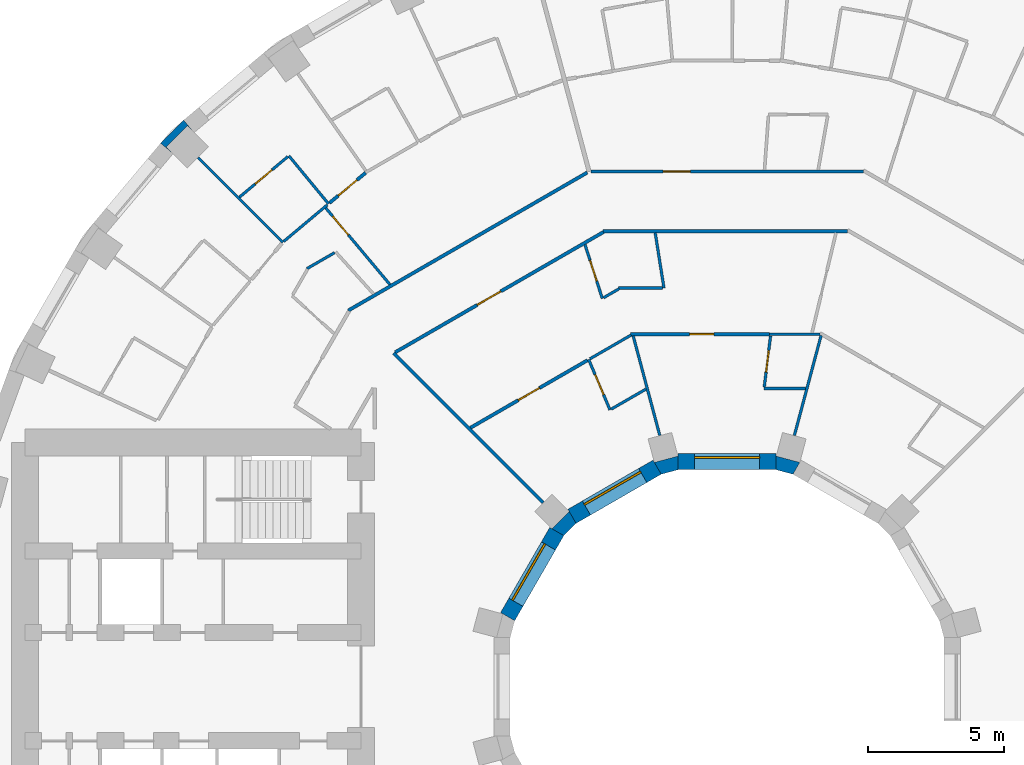
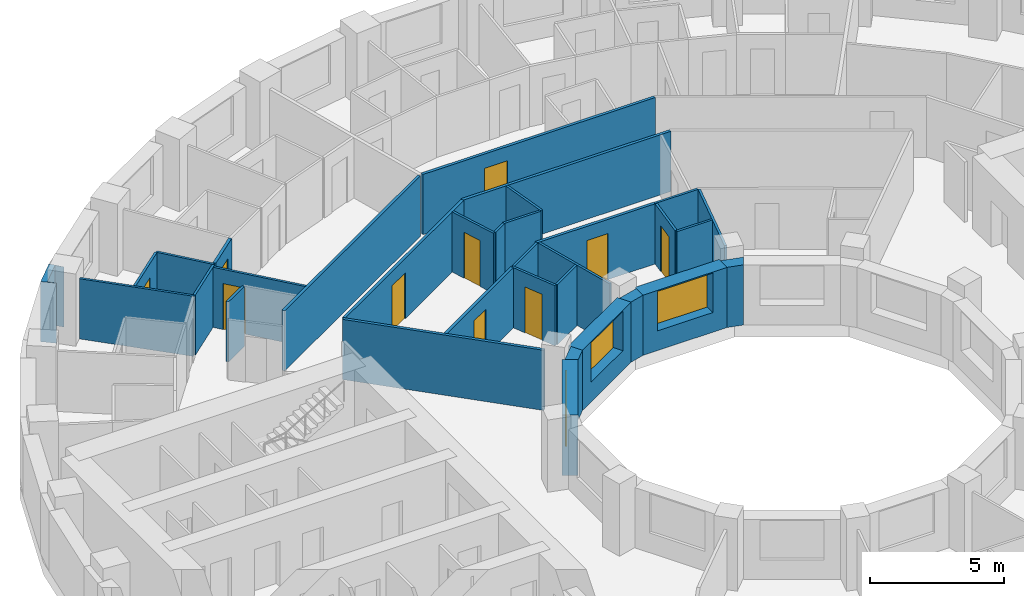
# One storey, part 9 of 14: 33 walls, 10 doors, 3 windows, 13 openings.
"""IFC4 building model written with IfcOpenShell, lengths in metres."""

from ifc_helpers import new_model, si_unit, direction, frame, frame_2d, origin, place, context, subcontext, project, spatial, polyline, rectangle, outline, extrude, material, layer, layer_set, type_object, element, fill, save


model = new_model("IFC4")

# Units and contexts
model_context = context("Model", 3, precision=1e-05, world=origin(), true_north=direction((0.0, 1.0)))
body_context = subcontext(model_context, "Body", "Model", "MODEL_VIEW")
ifc_project = project(units=[si_unit("LENGTHUNIT", "METRE"), si_unit("AREAUNIT", "SQUARE_METRE"), si_unit("VOLUMEUNIT", "CUBIC_METRE"), si_unit("PLANEANGLEUNIT", "RADIAN"), si_unit("MASSUNIT", "GRAM", prefix="KILO")], contexts=[model_context])

# Site, building, storey
site_placement = place(None, origin())
site = spatial("IfcSite", under=ifc_project, at=site_placement, CompositionType="ELEMENT")
building_placement = place(site_placement, origin())
building = spatial("IfcBuilding", under=site, at=building_placement, Name="Saqina Gate Tower", CompositionType="ELEMENT")
storey_placement = place(building_placement, frame((0.0, 0.0, 52.699951171875)))
storey = spatial("IfcBuildingStorey", under=building, at=storey_placement, Name="L14", CompositionType="ELEMENT", Elevation=52.699951171875)

# Wall
ifc_material_1 = material(Name="Brick masonry (red)", Category="masonry")
wall_type_1 = type_object("IfcWallType", Name="BRICK PIER COPING RED", PredefinedType="SOLIDWALL", material=ifc_material_1)
wall_1_placement = place(storey_placement, origin())
element("IfcWall", 1, at=wall_1_placement, inside=storey, type_object=wall_type_1, Name="Pier cap L14 column 14", PredefinedType="SOLIDWALL", context=body_context, shape_type="SweptSolid", body=[
    extrude(outline(polyline([(-20.894775390625, 20.04296875), (-20.43505859375, 19.6572265625), (-20.682861328125, 19.905029296875), (-19.905029296875, 20.682861328125), (-19.6572265625, 20.43505859375), (-20.04296875, 20.894775390625), (-20.894775390625, 20.04296875)])), origin(), (0.0, 0.0, 1.0), 2.75),
])

# Wall, opening, window
ifc_material_2 = material(Name="Glazed ceramic tile", Category="ceramic")
ifc_layer_1 = layer(ifc_material_2, 0.60009765625)
ifc_layer_set_1 = layer_set([ifc_layer_1], Name="IW-TILE")
wall_type_2 = type_object("IfcWallType", Name="IW-TILE", PredefinedType="SOLIDWALL", material=ifc_layer_set_1)
wall_2_placement = place(storey_placement, frame((1.8125, 8.300048828125, 0.0), z_axis=(0.0, 0.0, 1.0), x_axis=(-1.0, 0.0, 0.0)))
wall_2 = element("IfcWall", 2, at=wall_2_placement, inside=storey, type_object=wall_type_2, Name="Well wall L14 facet 3", PredefinedType="SOLIDWALL", context=body_context, shape_type="SweptSolid", body=[
    extrude(rectangle(XDim=3.625, YDim=0.60009765625, at=frame_2d((1.8125, 0.0))), origin(), (0.0, 0.0, 1.0), 2.75),
])
opening_1_placement = place(wall_2_placement, frame((0.612548828125, 0.0, 0.89990234375)))
opening_1 = element("IfcOpeningElement", 3, at=opening_1_placement, cuts=wall_2, Name="Opening G03-W28", PredefinedType="OPENING", context=body_context, shape_type="SweptSolid", body=[
    extrude(rectangle(XDim=2.39990234375, YDim=1.800048828125, at=frame_2d((1.199951171875, 0.89990234375))), frame((0.0, 0.31201171875, 0.0), z_axis=(0.0, -1.0, 0.0), x_axis=(1.0, 0.0, 0.0)), (0.0, 0.0, 1.0), 0.6240234375),
])
ifc_material_3 = material(Name="Aluminium glazing", Category="aluminium")
window_type = type_object("IfcWindowType", Name="WN-W", PartitioningType="SINGLE_PANEL", PredefinedType="WINDOW", material=ifc_material_3)
window_1_placement = place(opening_1_placement, origin())
window_1 = element("IfcWindow", 4, at=window_1_placement, inside=storey, type_object=window_type, Name="Well window L14 facet 3", OverallHeight=1.800048828125, OverallWidth=2.39990234375, PartitioningType="SINGLE_PANEL", PredefinedType="WINDOW", context=body_context, shape_type="SweptSolid", body=[
    extrude(rectangle(XDim=2.39990234375, YDim=1.800048828125, at=frame_2d((1.199951171875, 0.89990234375))), frame((0.0, -0.119873046875, 0.0), z_axis=(0.0, -1.0, 0.0), x_axis=(1.0, 0.0, 0.0)), (0.0, 0.0, 1.0), 0.06005859375),
])
fill(opening_1, window_1)

wall_3_placement = place(storey_placement, frame((-2.580322265625, 8.09423828125, 0.0), z_axis=(0.0, 0.0, 1.0), x_axis=(-0.866029693906, -0.499992569217, 0.0)))
wall_3 = element("IfcWall", 5, at=wall_3_placement, inside=storey, type_object=wall_type_2, Name="Well wall L14 facet 4", PredefinedType="SOLIDWALL", context=body_context, shape_type="SweptSolid", body=[
    extrude(rectangle(XDim=3.625, YDim=0.60009765625, at=frame_2d((1.8125, 0.0))), origin(), (0.0, 0.0, 1.0), 2.75),
])
opening_2_placement = place(wall_3_placement, frame((0.612548828125, 0.0, 0.89990234375)))
opening_2 = element("IfcOpeningElement", 6, at=opening_2_placement, cuts=wall_3, Name="Opening G03-W29", PredefinedType="OPENING", context=body_context, shape_type="SweptSolid", body=[
    extrude(rectangle(XDim=2.39990234375, YDim=1.800048828125, at=frame_2d((1.199951171875, 0.89990234375))), frame((0.0, 0.31201171875, 0.0), z_axis=(0.0, -1.0, 0.0), x_axis=(1.0, 0.0, 0.0)), (0.0, 0.0, 1.0), 0.6240234375),
])
window_2_placement = place(opening_2_placement, origin())
window_2 = element("IfcWindow", 7, at=window_2_placement, inside=storey, type_object=window_type, Name="Well window L14 facet 4", OverallHeight=1.800048828125, OverallWidth=2.39990234375, PartitioningType="SINGLE_PANEL", PredefinedType="WINDOW", context=body_context, shape_type="SweptSolid", body=[
    extrude(rectangle(XDim=2.39990234375, YDim=1.800048828125, at=frame_2d((1.199951171875, 0.89990234375))), frame((0.0, -0.119873046875, 0.0), z_axis=(0.0, -1.0, 0.0), x_axis=(1.0, 0.0, 0.0)), (0.0, 0.0, 1.0), 0.06005859375),
])
fill(opening_2, window_2)

wall_4_placement = place(storey_placement, frame((-6.28173828125, 5.7197265625, 0.0), z_axis=(0.0, 0.0, 1.0), x_axis=(-0.499992569217, -0.866029693906, 0.0)))
wall_4 = element("IfcWall", 8, at=wall_4_placement, inside=storey, type_object=wall_type_2, Name="Well wall L14 facet 5", PredefinedType="SOLIDWALL", context=body_context, shape_type="SweptSolid", body=[
    extrude(rectangle(XDim=3.625, YDim=0.60009765625, at=frame_2d((1.8125, 0.0))), origin(), (0.0, 0.0, 1.0), 2.75),
])
opening_3_placement = place(wall_4_placement, frame((0.612548828125, 0.0, 0.89990234375)))
opening_3 = element("IfcOpeningElement", 9, at=opening_3_placement, cuts=wall_4, Name="Opening G03-W30", PredefinedType="OPENING", context=body_context, shape_type="SweptSolid", body=[
    extrude(rectangle(XDim=2.39990234375, YDim=1.800048828125, at=frame_2d((1.199951171875, 0.89990234375))), frame((0.0, 0.31201171875, 0.0), z_axis=(0.0, -1.0, 0.0), x_axis=(1.0, 0.0, 0.0)), (0.0, 0.0, 1.0), 0.6240234375),
])
window_3_placement = place(opening_3_placement, origin())
window_3 = element("IfcWindow", 10, at=window_3_placement, inside=storey, type_object=window_type, Name="Well window L14 facet 5", OverallHeight=1.800048828125, OverallWidth=2.39990234375, PartitioningType="SINGLE_PANEL", PredefinedType="WINDOW", context=body_context, shape_type="SweptSolid", body=[
    extrude(rectangle(XDim=2.39990234375, YDim=1.800048828125, at=frame_2d((1.199951171875, 0.89990234375))), frame((0.0, -0.119873046875, 0.0), z_axis=(0.0, -1.0, 0.0), x_axis=(1.0, 0.0, 0.0)), (0.0, 0.0, 1.0), 0.06005859375),
])
fill(opening_3, window_3)

# Walls
ifc_material_4 = material(Name="Gypsum board on steel studs, 100 mm", Category="steel")
ifc_layer_2 = layer(ifc_material_4, 0.10009765625)
ifc_layer_set_2 = layer_set([ifc_layer_2], Name="PARTITION 100")
wall_type_3 = type_object("IfcWallType", Name="PARTITION 100", PredefinedType="PARTITIONING", material=ifc_layer_set_2)
wall_5_placement = place(storey_placement, frame((-2.651123046875, 16.73828125, 0.0), z_axis=(0.0, 0.0, 1.0), x_axis=(0.156624679591, -0.987658194794, 0.0)))
element("IfcWall", 11, at=wall_5_placement, inside=storey, type_object=wall_type_3, Name="PARTITION PW3-04", PredefinedType="PARTITIONING", context=body_context, shape_type="SweptSolid", body=[
    extrude(rectangle(XDim=2.063720703125, YDim=0.10009765625, at=frame_2d((1.03173828125, 0.0))), origin(), (0.0, 0.0, 1.0), 2.75),
])
wall_6_placement = place(storey_placement, frame((-3.46435546875, 12.940185546875, 0.0), z_axis=(0.0, 0.0, 1.0), x_axis=(0.258149993738, -0.966104849762, 0.0)))
element("IfcWall", 12, at=wall_6_placement, inside=storey, type_object=wall_type_3, Name="PARTITION PW3-07", PredefinedType="PARTITIONING", context=body_context, shape_type="SweptSolid", body=[
    extrude(rectangle(XDim=3.8037109375, YDim=0.10009765625, at=frame_2d((1.90185546875, 0.0))), origin(), (0.0, 0.0, 1.0), 2.75),
])

# Wall, opening, door
wall_7_placement = place(storey_placement, frame((-5.240966796875, 16.302490234375, 0.0), z_axis=(0.0, 0.0, 1.0), x_axis=(0.306308477414, -0.951932306766, 0.0)))
wall_7 = element("IfcWall", 13, at=wall_7_placement, inside=storey, type_object=wall_type_3, Name="PARTITION PW3-10", PredefinedType="PARTITIONING", context=body_context, shape_type="SweptSolid", body=[
    extrude(rectangle(XDim=2.0859375, YDim=0.10009765625, at=frame_2d((1.04296875, 0.0))), origin(), (0.0, 0.0, 1.0), 2.75),
])
opening_4_placement = place(wall_7_placement, frame((0.611572265625, 0.0, 0.0)))
opening_4 = element("IfcOpeningElement", 14, at=opening_4_placement, cuts=wall_7, Name="Opening G03-D23", PredefinedType="OPENING", context=body_context, shape_type="SweptSolid", body=[
    extrude(rectangle(XDim=0.800048828125, YDim=2.10009765625, at=frame_2d((0.39990234375, 1.050048828125))), frame((0.0, 0.06201171875, 0.0), z_axis=(0.0, -1.0, 0.0), x_axis=(1.0, 0.0, 0.0)), (0.0, 0.0, 1.0), 0.1240234375),
])
ifc_material_5 = material(Name="Timber door leaf, 800 mm", Category="wood")
door_type_1 = type_object("IfcDoorType", Name="DOOR 800 TIMBER", OperationType="SINGLE_SWING_LEFT", PredefinedType="DOOR", material=ifc_material_5)
door_1_placement = place(opening_4_placement, frame((0.800048828125, 0.0, 0.0), z_axis=(0.0, 0.0, 1.0), x_axis=(-1.0, 0.0, 0.0)))
door_1 = element("IfcDoor", 15, at=door_1_placement, inside=storey, type_object=door_type_1, Name="DOOR G03-D23", OperationType="SINGLE_SWING_RIGHT", OverallHeight=2.10009765625, OverallWidth=0.800048828125, PredefinedType="DOOR", context=body_context, shape_type="SweptSolid", body=[
    extrude(rectangle(XDim=0.800048828125, YDim=2.10009765625, at=frame_2d((0.39990234375, 1.050048828125))), frame((0.0, 0.02490234375, 0.0), z_axis=(0.0, -1.0, 0.0), x_axis=(1.0, 0.0, 0.0)), (0.0, 0.0, 1.0), 0.050048828125),
])
fill(opening_4, door_1)

wall_8_placement = place(storey_placement, frame((-5.10400390625, 12.06396484375, 0.0), z_axis=(0.0, 0.0, 1.0), x_axis=(0.389513511619, -0.921020751268, 0.0)))
wall_8 = element("IfcWall", 16, at=wall_8_placement, inside=storey, type_object=wall_type_3, Name="PARTITION PW3-13", PredefinedType="PARTITIONING", context=body_context, shape_type="SweptSolid", body=[
    extrude(rectangle(XDim=2.01513671875, YDim=0.10009765625, at=frame_2d((1.007568359375, 0.0))), origin(), (0.0, 0.0, 1.0), 2.75),
])
opening_5_placement = place(wall_8_placement, frame((0.607666015625, 0.0, 0.0)))
opening_5 = element("IfcOpeningElement", 17, at=opening_5_placement, cuts=wall_8, Name="Opening G03-D25", PredefinedType="OPENING", context=body_context, shape_type="SweptSolid", body=[
    extrude(rectangle(XDim=0.800048828125, YDim=2.10009765625, at=frame_2d((0.39990234375, 1.050048828125))), frame((0.0, 0.06201171875, 0.0), z_axis=(0.0, -1.0, 0.0), x_axis=(1.0, 0.0, 0.0)), (0.0, 0.0, 1.0), 0.1240234375),
])
door_2_placement = place(opening_5_placement, frame((0.800048828125, 0.0, 0.0), z_axis=(0.0, 0.0, 1.0), x_axis=(-1.0, 0.0, 0.0)))
door_2 = element("IfcDoor", 18, at=door_2_placement, inside=storey, type_object=door_type_1, Name="DOOR G03-D25", OperationType="SINGLE_SWING_RIGHT", OverallHeight=2.10009765625, OverallWidth=0.800048828125, PredefinedType="DOOR", context=body_context, shape_type="SweptSolid", body=[
    extrude(rectangle(XDim=0.800048828125, YDim=2.10009765625, at=frame_2d((0.39990234375, 1.050048828125))), frame((0.0, 0.02490234375, 0.0), z_axis=(0.0, -1.0, 0.0), x_axis=(1.0, 0.0, 0.0)), (0.0, 0.0, 1.0), 0.050048828125),
])
fill(opening_5, door_2)

# Wall
wall_9_placement = place(storey_placement, frame((-16.1640625, 19.580078125, 0.0), z_axis=(0.0, 0.0, 1.0), x_axis=(0.636700344293, -0.771111322428, 0.0)))
element("IfcWall", 19, at=wall_9_placement, inside=storey, type_object=wall_type_3, Name="PARTITION PW3-26", PredefinedType="PARTITIONING", context=body_context, shape_type="SweptSolid", body=[
    extrude(rectangle(XDim=2.299560546875, YDim=0.10009765625, at=frame_2d((1.14990234375, 0.0))), origin(), (0.0, 0.0, 1.0), 2.75),
])

# Wall, opening, door
wall_10_placement = place(storey_placement, frame((-14.802978515625, 17.65478515625, 0.0), z_axis=(0.0, 0.0, 1.0), x_axis=(0.642514396039, -0.766273613589, 0.0)))
wall_10 = element("IfcWall", 20, at=wall_10_placement, inside=storey, type_object=wall_type_3, Name="PARTITION PW3-30", PredefinedType="PARTITIONING", context=body_context, shape_type="SweptSolid", body=[
    extrude(rectangle(XDim=3.68505859375, YDim=0.10009765625, at=frame_2d((1.842529296875, 0.0))), origin(), (0.0, 0.0, 1.0), 2.75),
])
opening_6_placement = place(wall_10_placement, frame((0.398681640625, 0.0, 0.0)))
opening_6 = element("IfcOpeningElement", 21, at=opening_6_placement, cuts=wall_10, Name="Opening G03-D31", PredefinedType="OPENING", context=body_context, shape_type="SweptSolid", body=[
    extrude(rectangle(XDim=0.89990234375, YDim=2.10009765625, at=frame_2d((0.449951171875, 1.050048828125))), frame((0.0, 0.06201171875, 0.0), z_axis=(0.0, -1.0, 0.0), x_axis=(1.0, 0.0, 0.0)), (0.0, 0.0, 1.0), 0.1240234375),
])
ifc_material_6 = material(Name="Timber door leaf, 900 mm", Category="wood")
door_type_2 = type_object("IfcDoorType", Name="DOOR 900 TIMBER", OperationType="SINGLE_SWING_LEFT", PredefinedType="DOOR", material=ifc_material_6)
door_3_placement = place(opening_6_placement, frame((0.89990234375, 0.0, 0.0), z_axis=(0.0, 0.0, 1.0), x_axis=(-1.0, 0.0, 0.0)))
door_3 = element("IfcDoor", 22, at=door_3_placement, inside=storey, type_object=door_type_2, Name="DOOR G03-D31", OperationType="SINGLE_SWING_RIGHT", OverallHeight=2.10009765625, OverallWidth=0.89990234375, PredefinedType="DOOR", context=body_context, shape_type="SweptSolid", body=[
    extrude(rectangle(XDim=0.89990234375, YDim=2.10009765625, at=frame_2d((0.449951171875, 1.050048828125))), frame((0.0, 0.02490234375, 0.0), z_axis=(0.0, -1.0, 0.0), x_axis=(1.0, 0.0, 0.0)), (0.0, 0.0, 1.0), 0.050048828125),
])
fill(opening_6, door_3)

# Walls
wall_11_placement = place(storey_placement, frame((-19.509033203125, 19.509033203125, 0.0), z_axis=(0.0, 0.0, 1.0), x_axis=(0.707106781187, -0.707106781187, 0.0)))
element("IfcWall", 23, at=wall_11_placement, inside=storey, type_object=wall_type_3, Name="PARTITION PW3-33", PredefinedType="PARTITIONING", context=body_context, shape_type="SweptSolid", body=[
    extrude(rectangle(XDim=4.41259765625, YDim=0.10009765625, at=frame_2d((2.206298828125, 0.0))), origin(), (0.0, 0.0, 1.0), 2.75),
])
wall_12_placement = place(storey_placement, frame((1.364013671875, 11.0, 0.0), z_axis=(0.0, 0.0, 1.0), x_axis=(1.0, 0.0, 0.0)))
element("IfcWall", 24, at=wall_12_placement, inside=storey, type_object=wall_type_3, Name="PARTITION PW3-64", PredefinedType="PARTITIONING", context=body_context, shape_type="SweptSolid", body=[
    extrude(rectangle(XDim=1.532958984375, YDim=0.10009765625, at=frame_2d((0.7666015625, 0.0))), origin(), (0.0, 0.0, 1.0), 2.75),
])
wall_13_placement = place(storey_placement, frame((1.56201171875, 13.0, 0.0), z_axis=(0.0, 0.0, 1.0), x_axis=(1.0, 0.0, 0.0)))
element("IfcWall", 25, at=wall_13_placement, inside=storey, type_object=wall_type_3, Name="PARTITION PW3-65", PredefinedType="PARTITIONING", context=body_context, shape_type="SweptSolid", body=[
    extrude(rectangle(XDim=1.8583984375, YDim=0.10009765625, at=frame_2d((0.92919921875, 0.0))), origin(), (0.0, 0.0, 1.0), 2.75),
])
wall_14_placement = place(storey_placement, frame((-3.996826171875, 14.699951171875, 0.0), z_axis=(0.0, 0.0, 1.0), x_axis=(1.0, 0.0, 0.0)))
element("IfcWall", 26, at=wall_14_placement, inside=storey, type_object=wall_type_3, Name="PARTITION PW3-66", PredefinedType="PARTITIONING", context=body_context, shape_type="SweptSolid", body=[
    extrude(rectangle(XDim=1.618896484375, YDim=0.10009765625, at=frame_2d((0.8095703125, 0.0))), origin(), (0.0, 0.0, 1.0), 2.75),
])
wall_15_placement = place(storey_placement, frame((-4.275634765625, 10.23291015625, 0.0), z_axis=(0.0, 0.0, 1.0), x_axis=(0.865996508191, 0.500050045296, 0.0)))
element("IfcWall", 27, at=wall_15_placement, inside=storey, type_object=wall_type_3, Name="PARTITION PW3-83", PredefinedType="PARTITIONING", context=body_context, shape_type="SweptSolid", body=[
    extrude(rectangle(XDim=1.483642578125, YDim=0.10009765625, at=frame_2d((0.74169921875, 0.0))), origin(), (0.0, 0.0, 1.0), 2.75),
])
wall_16_placement = place(storey_placement, frame((-5.060791015625, 12.089111328125, 0.0), z_axis=(0.0, 0.0, 1.0), x_axis=(0.86604000649, 0.499974706519, 0.0)))
element("IfcWall", 28, at=wall_16_placement, inside=storey, type_object=wall_type_3, Name="PARTITION PW3-84", PredefinedType="PARTITIONING", context=body_context, shape_type="SweptSolid", body=[
    extrude(rectangle(XDim=1.75927734375, YDim=0.10009765625, at=frame_2d((0.879638671875, 0.0))), origin(), (0.0, 0.0, 1.0), 2.75),
])
wall_17_placement = place(storey_placement, frame((-4.55859375, 14.342041015625, 0.0), z_axis=(0.0, 0.0, 1.0), x_axis=(0.865886254366, 0.500240936449, 0.0)))
element("IfcWall", 29, at=wall_17_placement, inside=storey, type_object=wall_type_3, Name="PARTITION PW3-85", PredefinedType="PARTITIONING", context=body_context, shape_type="SweptSolid", body=[
    extrude(rectangle(XDim=0.665771484375, YDim=0.10009765625, at=frame_2d((0.3330078125, 0.0))), origin(), (0.0, 0.0, 1.0), 2.75),
])
wall_18_placement = place(storey_placement, frame((-15.49609375, 15.417236328125, 0.0), z_axis=(0.0, 0.0, 1.0), x_axis=(0.866140661503, 0.499800314617, 0.0)))
element("IfcWall", 30, at=wall_18_placement, inside=storey, type_object=wall_type_3, Name="PARTITION PW3-86", PredefinedType="PARTITIONING", context=body_context, shape_type="SweptSolid", body=[
    extrude(rectangle(XDim=1.17626953125, YDim=0.10009765625, at=frame_2d((0.588134765625, 0.0))), origin(), (0.0, 0.0, 1.0), 2.75),
])
wall_19_placement = place(storey_placement, frame((-16.3505859375, 16.421142578125, 0.0), z_axis=(0.0, 0.0, 1.0), x_axis=(0.765854222204, 0.643014238048, 0.0)))
element("IfcWall", 31, at=wall_19_placement, inside=storey, type_object=wall_type_3, Name="PARTITION PW3-95", PredefinedType="PARTITIONING", context=body_context, shape_type="SweptSolid", body=[
    extrude(rectangle(XDim=2.0927734375, YDim=0.10009765625, at=frame_2d((1.04638671875, 0.0))), origin(), (0.0, 0.0, 1.0), 2.75),
])

# Wall, opening, door
wall_20_placement = place(storey_placement, frame((-17.983642578125, 18.05419921875, 0.0), z_axis=(0.0, 0.0, 1.0), x_axis=(0.766254925891, 0.642536682648, 0.0)))
wall_20 = element("IfcWall", 32, at=wall_20_placement, inside=storey, type_object=wall_type_3, Name="PARTITION PW3-96", PredefinedType="PARTITIONING", context=body_context, shape_type="SweptSolid", body=[
    extrude(rectangle(XDim=2.32470703125, YDim=0.10009765625, at=frame_2d((1.162353515625, 0.0))), origin(), (0.0, 0.0, 1.0), 2.75),
])
opening_7_placement = place(wall_20_placement, frame((0.762451171875, 0.0, 0.0)))
opening_7 = element("IfcOpeningElement", 33, at=opening_7_placement, cuts=wall_20, Name="Opening G03-D32", PredefinedType="OPENING", context=body_context, shape_type="SweptSolid", body=[
    extrude(rectangle(XDim=0.800048828125, YDim=2.10009765625, at=frame_2d((0.39990234375, 1.050048828125))), frame((0.0, 0.06201171875, 0.0), z_axis=(0.0, -1.0, 0.0), x_axis=(1.0, 0.0, 0.0)), (0.0, 0.0, 1.0), 0.1240234375),
])
door_4_placement = place(opening_7_placement, origin())
door_4 = element("IfcDoor", 34, at=door_4_placement, inside=storey, type_object=door_type_1, Name="DOOR G03-D32", OperationType="SINGLE_SWING_RIGHT", OverallHeight=2.10009765625, OverallWidth=0.800048828125, PredefinedType="DOOR", context=body_context, shape_type="SweptSolid", body=[
    extrude(rectangle(XDim=0.800048828125, YDim=2.10009765625, at=frame_2d((0.39990234375, 1.050048828125))), frame((0.0, 0.02490234375, 0.0), z_axis=(0.0, -1.0, 0.0), x_axis=(1.0, 0.0, 0.0)), (0.0, 0.0, 1.0), 0.050048828125),
])
fill(opening_7, door_4)

# Wall
wall_21_placement = place(storey_placement, frame((2.482421875, 9.265380859375, 0.0), z_axis=(0.0, 0.0, 1.0), x_axis=(0.258188185818, 0.966094643761, 0.0)))
element("IfcWall", 35, at=wall_21_placement, inside=storey, type_object=wall_type_3, Name="PARTITION PW3-119", PredefinedType="PARTITIONING", context=body_context, shape_type="SweptSolid", body=[
    extrude(rectangle(XDim=3.81640625, YDim=0.10009765625, at=frame_2d((1.908203125, 0.0))), origin(), (0.0, 0.0, 1.0), 2.75),
])

# Wall, opening, door
wall_22_placement = place(storey_placement, frame((1.3701171875, 11.049560546875, 0.0), z_axis=(0.0, 0.0, 1.0), x_axis=(0.123039852559, 0.992401730491, 0.0)))
wall_22 = element("IfcWall", 36, at=wall_22_placement, inside=storey, type_object=wall_type_3, Name="PARTITION PW3-125", PredefinedType="PARTITIONING", context=body_context, shape_type="SweptSolid", body=[
    extrude(rectangle(XDim=1.90283203125, YDim=0.10009765625, at=frame_2d((0.951416015625, 0.0))), origin(), (0.0, 0.0, 1.0), 2.75),
])
opening_8_placement = place(wall_22_placement, frame((0.5576171875, 0.0, 0.0)))
opening_8 = element("IfcOpeningElement", 37, at=opening_8_placement, cuts=wall_22, Name="Opening G03-D14", PredefinedType="OPENING", context=body_context, shape_type="SweptSolid", body=[
    extrude(rectangle(XDim=0.800048828125, YDim=2.10009765625, at=frame_2d((0.39990234375, 1.050048828125))), frame((0.0, 0.06201171875, 0.0), z_axis=(0.0, -1.0, 0.0), x_axis=(1.0, 0.0, 0.0)), (0.0, 0.0, 1.0), 0.1240234375),
])
door_5_placement = place(opening_8_placement, origin())
door_5 = element("IfcDoor", 38, at=door_5_placement, inside=storey, type_object=door_type_1, Name="DOOR G03-D14", OperationType="SINGLE_SWING_RIGHT", OverallHeight=2.10009765625, OverallWidth=0.800048828125, PredefinedType="DOOR", context=body_context, shape_type="SweptSolid", body=[
    extrude(rectangle(XDim=0.800048828125, YDim=2.10009765625, at=frame_2d((0.39990234375, 1.050048828125))), frame((0.0, 0.02490234375, 0.0), z_axis=(0.0, -1.0, 0.0), x_axis=(1.0, 0.0, 0.0)), (0.0, 0.0, 1.0), 0.050048828125),
])
fill(opening_8, door_5)

# Wall
ifc_material_7 = material(Name="Gypsum board on steel studs, 125 mm, fire rated", Category="steel")
ifc_layer_3 = layer(ifc_material_7, 0.125)
ifc_layer_set_3 = layer_set([ifc_layer_3], Name="PARTITION EI 30 125")
wall_type_4 = type_object("IfcWallType", Name="PARTITION EI 30 125", PredefinedType="PARTITIONING", material=ifc_layer_set_3)
wall_23_placement = place(storey_placement, frame((-12.298095703125, 12.298095703125, 0.0), z_axis=(0.0, 0.0, 1.0), x_axis=(0.707106781187, -0.707106781187, 0.0)))
element("IfcWall", 39, at=wall_23_placement, inside=storey, type_object=wall_type_4, Name="PARTITION PW1-06", PredefinedType="PARTITIONING", context=body_context, shape_type="SweptSolid", body=[
    extrude(rectangle(XDim=7.7998046875, YDim=0.125, at=frame_2d((3.89990234375, 0.0))), origin(), (0.0, 0.0, 1.0), 2.75),
])

# Wall, opening, door
wall_24_placement = place(storey_placement, frame((-3.55517578125, 13.0, 0.0), z_axis=(0.0, 0.0, 1.0), x_axis=(1.0, 0.0, 0.0)))
wall_24 = element("IfcWall", 40, at=wall_24_placement, inside=storey, type_object=wall_type_4, Name="PARTITION PW1-27", PredefinedType="PARTITIONING", context=body_context, shape_type="SweptSolid", body=[
    extrude(rectangle(XDim=5.1171875, YDim=0.125, at=frame_2d((2.55859375, 0.0))), origin(), (0.0, 0.0, 1.0), 2.75),
])
opening_9_placement = place(wall_24_placement, frame((2.169677734375, 0.0, 0.0)))
opening_9 = element("IfcOpeningElement", 41, at=opening_9_placement, cuts=wall_24, Name="Opening G03-D18", PredefinedType="OPENING", context=body_context, shape_type="SweptSolid", body=[
    extrude(rectangle(XDim=0.89990234375, YDim=2.10009765625, at=frame_2d((0.449951171875, 1.050048828125))), frame((0.0, 0.074462890625, 0.0), z_axis=(0.0, -1.0, 0.0), x_axis=(1.0, 0.0, 0.0)), (0.0, 0.0, 1.0), 0.14892578125),
])
ifc_material_8 = material(Name="Fire door leaf EI 30, 900 mm")
door_type_3 = type_object("IfcDoorType", Name="DOOR 900 EI 30", OperationType="SINGLE_SWING_LEFT", PredefinedType="DOOR", material=ifc_material_8)
door_6_placement = place(opening_9_placement, origin())
door_6 = element("IfcDoor", 42, at=door_6_placement, inside=storey, type_object=door_type_3, Name="DOOR G03-D18", OperationType="SINGLE_SWING_RIGHT", OverallHeight=2.10009765625, OverallWidth=0.89990234375, PredefinedType="DOOR", context=body_context, shape_type="SweptSolid", body=[
    extrude(rectangle(XDim=0.89990234375, YDim=2.10009765625, at=frame_2d((0.449951171875, 1.050048828125))), frame((0.0, 0.02490234375, 0.0), z_axis=(0.0, -1.0, 0.0), x_axis=(1.0, 0.0, 0.0)), (0.0, 0.0, 1.0), 0.050048828125),
])
fill(opening_9, door_6)

# Wall
wall_25_placement = place(storey_placement, frame((-4.57421875, 16.800048828125, 0.0), z_axis=(0.0, 0.0, 1.0), x_axis=(1.0, 0.0, 0.0)))
element("IfcWall", 43, at=wall_25_placement, inside=storey, type_object=wall_type_4, Name="PARTITION PW1-28", PredefinedType="PARTITIONING", context=body_context, shape_type="SweptSolid", body=[
    extrude(rectangle(XDim=9.013671875, YDim=0.125, at=frame_2d((4.5068359375, 0.0))), origin(), (0.0, 0.0, 1.0), 2.75),
])

# Wall, opening, door
wall_26_placement = place(storey_placement, frame((-5.01611328125, 19.0, 0.0), z_axis=(0.0, 0.0, 1.0), x_axis=(1.0, 0.0, 0.0)))
wall_26 = element("IfcWall", 44, at=wall_26_placement, inside=storey, type_object=wall_type_4, Name="PARTITION PW1-29", PredefinedType="PARTITIONING", context=body_context, shape_type="SweptSolid", body=[
    extrude(rectangle(XDim=10.044677734375, YDim=0.125, at=frame_2d((5.0224609375, 0.0))), origin(), (0.0, 0.0, 1.0), 2.75),
])
opening_10_placement = place(wall_26_placement, frame((2.658935546875, 0.0, 0.0)))
opening_10 = element("IfcOpeningElement", 45, at=opening_10_placement, cuts=wall_26, Name="Opening G03-D19", PredefinedType="OPENING", context=body_context, shape_type="SweptSolid", body=[
    extrude(rectangle(XDim=1.0, YDim=2.10009765625, at=frame_2d((0.5, 1.050048828125))), frame((0.0, 0.074462890625, 0.0), z_axis=(0.0, -1.0, 0.0), x_axis=(1.0, 0.0, 0.0)), (0.0, 0.0, 1.0), 0.14892578125),
])
ifc_material_9 = material(Name="Fire door leaf EI 30, 1000 mm")
door_type_4 = type_object("IfcDoorType", Name="DOOR 1000 EI 30", OperationType="SINGLE_SWING_LEFT", PredefinedType="DOOR", material=ifc_material_9)
door_7_placement = place(opening_10_placement, origin())
door_7 = element("IfcDoor", 46, at=door_7_placement, inside=storey, type_object=door_type_4, Name="DOOR G03-D19", OperationType="SINGLE_SWING_LEFT", OverallHeight=2.10009765625, OverallWidth=1.0, PredefinedType="DOOR", context=body_context, shape_type="SweptSolid", body=[
    extrude(rectangle(XDim=1.0, YDim=2.10009765625, at=frame_2d((0.5, 1.050048828125))), frame((0.0, 0.02490234375, 0.0), z_axis=(0.0, -1.0, 0.0), x_axis=(1.0, 0.0, 0.0)), (0.0, 0.0, 1.0), 0.050048828125),
])
fill(opening_10, door_7)

wall_27_placement = place(storey_placement, frame((-9.462890625, 9.54833984375, 0.0), z_axis=(0.0, 0.0, 1.0), x_axis=(0.866106452525, 0.499859593181, 0.0)))
wall_27 = element("IfcWall", 47, at=wall_27_placement, inside=storey, type_object=wall_type_4, Name="PARTITION PW1-38", PredefinedType="PARTITIONING", context=body_context, shape_type="SweptSolid", body=[
    extrude(rectangle(XDim=4.98291015625, YDim=0.125, at=frame_2d((2.491455078125, 0.0))), origin(), (0.0, 0.0, 1.0), 2.75),
])
opening_11_placement = place(wall_27_placement, frame((2.03515625, 0.0, 0.0)))
opening_11 = element("IfcOpeningElement", 48, at=opening_11_placement, cuts=wall_27, Name="Opening G03-D29", PredefinedType="OPENING", context=body_context, shape_type="SweptSolid", body=[
    extrude(rectangle(XDim=0.89990234375, YDim=2.10009765625, at=frame_2d((0.449951171875, 1.050048828125))), frame((0.0, 0.074462890625, 0.0), z_axis=(0.0, -1.0, 0.0), x_axis=(1.0, 0.0, 0.0)), (0.0, 0.0, 1.0), 0.14892578125),
])
door_8_placement = place(opening_11_placement, origin())
door_8 = element("IfcDoor", 49, at=door_8_placement, inside=storey, type_object=door_type_3, Name="DOOR G03-D29", OperationType="SINGLE_SWING_LEFT", OverallHeight=2.10009765625, OverallWidth=0.89990234375, PredefinedType="DOOR", context=body_context, shape_type="SweptSolid", body=[
    extrude(rectangle(XDim=0.89990234375, YDim=2.10009765625, at=frame_2d((0.449951171875, 1.050048828125))), frame((0.0, 0.02490234375, 0.0), z_axis=(0.0, -1.0, 0.0), x_axis=(1.0, 0.0, 0.0)), (0.0, 0.0, 1.0), 0.050048828125),
])
fill(opening_11, door_8)

wall_28_placement = place(storey_placement, frame((-12.243896484375, 12.329345703125, 0.0), z_axis=(0.0, 0.0, 1.0), x_axis=(0.865979941794, 0.500078734211, 0.0)))
wall_28 = element("IfcWall", 50, at=wall_28_placement, inside=storey, type_object=wall_type_4, Name="PARTITION PW1-39", PredefinedType="PARTITIONING", context=body_context, shape_type="SweptSolid", body=[
    extrude(rectangle(XDim=8.87744140625, YDim=0.125, at=frame_2d((4.438720703125, 0.0))), origin(), (0.0, 0.0, 1.0), 2.75),
])
opening_12_placement = place(wall_28_placement, frame((3.5009765625, 0.0, 0.0)))
opening_12 = element("IfcOpeningElement", 51, at=opening_12_placement, cuts=wall_28, Name="Opening G03-D27", PredefinedType="OPENING", context=body_context, shape_type="SweptSolid", body=[
    extrude(rectangle(XDim=1.0, YDim=2.10009765625, at=frame_2d((0.5, 1.050048828125))), frame((0.0, 0.074462890625, 0.0), z_axis=(0.0, -1.0, 0.0), x_axis=(1.0, 0.0, 0.0)), (0.0, 0.0, 1.0), 0.14892578125),
])
door_9_placement = place(opening_12_placement, frame((1.0, 0.0, 0.0), z_axis=(0.0, 0.0, 1.0), x_axis=(-1.0, 0.0, 0.0)))
door_9 = element("IfcDoor", 52, at=door_9_placement, inside=storey, type_object=door_type_4, Name="DOOR G03-D27", OperationType="SINGLE_SWING_RIGHT", OverallHeight=2.10009765625, OverallWidth=1.0, PredefinedType="DOOR", context=body_context, shape_type="SweptSolid", body=[
    extrude(rectangle(XDim=1.0, YDim=2.10009765625, at=frame_2d((0.5, 1.050048828125))), frame((0.0, 0.02490234375, 0.0), z_axis=(0.0, -1.0, 0.0), x_axis=(1.0, 0.0, 0.0)), (0.0, 0.0, 1.0), 0.050048828125),
])
fill(opening_12, door_9)

# Wall
wall_29_placement = place(storey_placement, frame((-13.971435546875, 13.872802734375, 0.0), z_axis=(0.0, 0.0, 1.0), x_axis=(0.86602502492, 0.500000656212, 0.0)))
element("IfcWall", 53, at=wall_29_placement, inside=storey, type_object=wall_type_4, Name="PARTITION PW1-40", PredefinedType="PARTITIONING", context=body_context, shape_type="SweptSolid", body=[
    extrude(rectangle(XDim=10.17919921875, YDim=0.125, at=frame_2d((5.089599609375, 0.0))), origin(), (0.0, 0.0, 1.0), 2.75),
])

# Wall, opening, door
wall_30_placement = place(storey_placement, frame((-14.66259765625, 17.840087890625, 0.0), z_axis=(0.0, 0.0, 1.0), x_axis=(0.767205284681, 0.641401630149, 0.0)))
wall_30 = element("IfcWall", 54, at=wall_30_placement, inside=storey, type_object=wall_type_4, Name="PARTITION PW1-46", PredefinedType="PARTITIONING", context=body_context, shape_type="SweptSolid", body=[
    extrude(rectangle(XDim=1.73486328125, YDim=0.125, at=frame_2d((0.867431640625, 0.0))), origin(), (0.0, 0.0, 1.0), 2.75),
])
opening_13_placement = place(wall_30_placement, frame((0.41748046875, 0.0, 0.0)))
opening_13 = element("IfcOpeningElement", 55, at=opening_13_placement, cuts=wall_30, Name="Opening G03-D30", PredefinedType="OPENING", context=body_context, shape_type="SweptSolid", body=[
    extrude(rectangle(XDim=0.89990234375, YDim=2.10009765625, at=frame_2d((0.449951171875, 1.050048828125))), frame((0.0, 0.074462890625, 0.0), z_axis=(0.0, -1.0, 0.0), x_axis=(1.0, 0.0, 0.0)), (0.0, 0.0, 1.0), 0.14892578125),
])
door_10_placement = place(opening_13_placement, frame((0.89990234375, 0.0, 0.0), z_axis=(0.0, 0.0, 1.0), x_axis=(-1.0, 0.0, 0.0)))
door_10 = element("IfcDoor", 56, at=door_10_placement, inside=storey, type_object=door_type_3, Name="DOOR G03-D30", OperationType="SINGLE_SWING_RIGHT", OverallHeight=2.10009765625, OverallWidth=0.89990234375, PredefinedType="DOOR", context=body_context, shape_type="SweptSolid", body=[
    extrude(rectangle(XDim=0.89990234375, YDim=2.10009765625, at=frame_2d((0.449951171875, 1.050048828125))), frame((0.0, 0.02490234375, 0.0), z_axis=(0.0, -1.0, 0.0), x_axis=(1.0, 0.0, 0.0)), (0.0, 0.0, 1.0), 0.050048828125),
])
fill(opening_13, door_10)

# Walls
ifc_material_10 = material(Name="Glazed ceramic tile", Category="ceramic")
wall_type_5 = type_object("IfcWallType", Name="TILE PIER COPING", PredefinedType="SOLIDWALL", material=ifc_material_10)
wall_31_placement = place(storey_placement, origin())
element("IfcWall", 57, at=wall_31_placement, inside=storey, type_object=wall_type_5, Name="Well pier cap L14 column 3", PredefinedType="SOLIDWALL", context=body_context, shape_type="SweptSolid", body=[
    extrude(outline(polyline([(1.8125, 8.502685546875), (1.8125, 8.0), (2.430419921875, 7.83447265625), (2.681884765625, 8.27001953125), (1.8125, 8.502685546875)])), origin(), (0.0, 0.0, 1.0), 2.75),
])
wall_32_placement = place(storey_placement, origin())
element("IfcWall", 58, at=wall_32_placement, inside=storey, type_object=wall_type_5, Name="Well pier cap L14 column 4", PredefinedType="SOLIDWALL", context=body_context, shape_type="SweptSolid", body=[
    extrude(outline(polyline([(-2.681884765625, 8.27001953125), (-2.430419921875, 7.83447265625), (-1.8125, 8.0), (-1.8125, 8.502685546875), (-2.681884765625, 8.27001953125)])), origin(), (0.0, 0.0, 1.0), 2.75),
])
wall_33_placement = place(storey_placement, origin())
element("IfcWall", 59, at=wall_33_placement, inside=storey, type_object=wall_type_5, Name="Well pier cap L14 column 5", PredefinedType="SOLIDWALL", context=body_context, shape_type="SweptSolid", body=[
    extrude(outline(polyline([(-6.45751953125, 5.821044921875), (-6.02197265625, 5.569580078125), (-5.569580078125, 6.02197265625), (-5.821044921875, 6.45751953125), (-6.45751953125, 5.821044921875)])), origin(), (0.0, 0.0, 1.0), 2.75),
])

save(model, "model.ifc")
